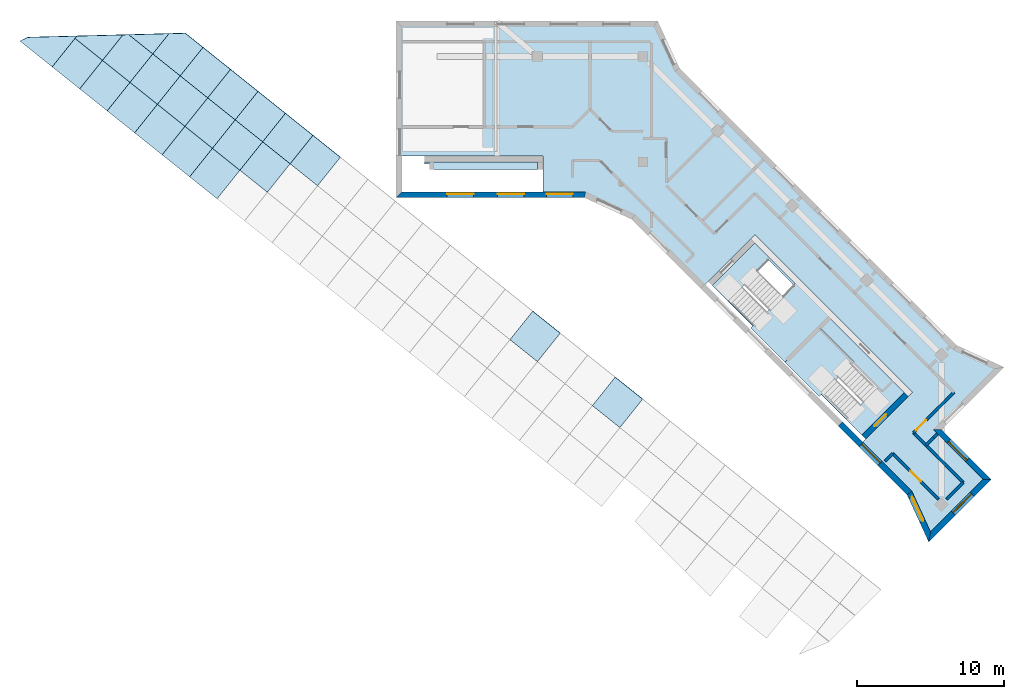
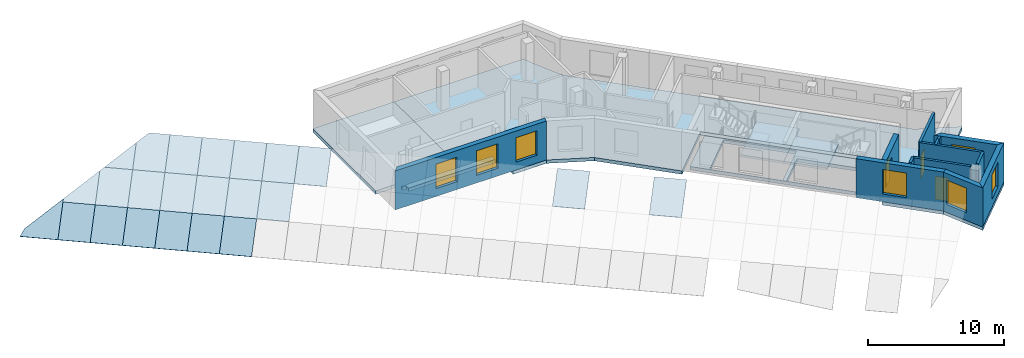
# One storey, part 2 of 6: 23 plates, 13 walls, 7 windows, 6 slabs, 3 doors, 12 openings, 2 elements without a shape of their own.
"""IFC4 building model written with IfcOpenShell, lengths in metres."""

from ifc_helpers import new_model, si_unit, direction, frame, frame_2d, origin, place, context, subcontext, project, spatial, polyline, rectangle, outline, extrude, material, layer, layer_set, type_object, element, fill, aggregate, save


model = new_model("IFC4")

# Units and contexts
model_context = context("Model", 3, precision=1e-05, world=origin(), true_north=direction((0.0, 1.0)))
body_context = subcontext(model_context, "Body", "Model", "MODEL_VIEW")
ifc_project = project(units=[si_unit("LENGTHUNIT", "METRE"), si_unit("AREAUNIT", "SQUARE_METRE"), si_unit("VOLUMEUNIT", "CUBIC_METRE"), si_unit("PLANEANGLEUNIT", "RADIAN"), si_unit("MASSUNIT", "GRAM", prefix="KILO")], contexts=[model_context])

# Site, building, storey
site_placement = place(None, origin())
site = spatial("IfcSite", under=ifc_project, at=site_placement, CompositionType="ELEMENT")
building_placement = place(site_placement, origin())
building = spatial("IfcBuilding", under=site, at=building_placement, Name="Windrow Commons", CompositionType="ELEMENT")
storey_placement = place(building_placement, frame((0.0, 0.0, 305.8)))
storey = spatial("IfcBuildingStorey", under=building, at=storey_placement, Name="L83", CompositionType="ELEMENT", Elevation=305.8)

# Slab
ifc_material_1 = material(Name="Concrete C40/50", Category="concrete")
ifc_layer_1 = layer(ifc_material_1, 0.3)
ifc_layer_set_1 = layer_set([ifc_layer_1], Name="CORE FLOOR SLAB 300 C40/50")
slab_type_1 = type_object("IfcSlabType", Name="CORE FLOOR SLAB 300 C40/50", PredefinedType="FLOOR", material=ifc_layer_set_1)
placement_1 = place(storey_placement, frame((0.0, 0.0, -0.3)))
element("IfcSlab", 1, at=placement_1, inside=storey, type_object=slab_type_1, Name="S-L83-core-A", PredefinedType="FLOOR", context=body_context, shape_type="SweptSolid", body=[
    extrude(outline(polyline([(72.0, 64.8), (72.0, 64.3), (69.1029, 64.3), (64.65, 64.3), (64.65, 64.65), (64.3, 64.65), (64.3, 64.8), (72.0, 64.8)])), origin(), (0.0, 0.0, 1.0), 0.3),
])

# Slab, openings
slab_2 = element("IfcSlab", 2, at=placement_1, inside=storey, type_object=slab_type_1, Name="S-L83-core-B", PredefinedType="FLOOR", context=body_context, shape_type="SweptSolid", body=[
    extrude(outline(polyline([(86.8368, 59.2721), (97.0191, 49.0897), (94.12, 46.1906), (83.9376, 56.3729), (86.8368, 59.2721)]), holes=[polyline([(88.9581, 51.4232), (91.7158, 54.1809), (87.7913, 58.1054), (85.0336, 55.3476), (88.9581, 51.4232)]), polyline([(93.0946, 47.2866), (95.1841, 49.3761), (91.2597, 53.3006), (89.1702, 51.2111), (93.0946, 47.2866)])]), origin(), (0.0, 0.0, 1.0), 0.3),
])
opening_1_placement = place(placement_1, origin())
element("IfcOpeningElement", 3, at=opening_1_placement, cuts=slab_2, Name="Slab opening S-L83-core-B 1", PredefinedType="OPENING", context=body_context, shape_type="SweptSolid", body=[
    extrude(outline(polyline([(88.9581, 51.4303), (85.0407, 55.3476), (87.7913, 58.0983), (91.7087, 54.1809), (88.9581, 51.4303)])), origin(), (0.0, 0.0, 1.0), 0.3),
])
opening_2_placement = place(placement_1, origin())
element("IfcOpeningElement", 4, at=opening_2_placement, cuts=slab_2, Name="Slab opening S-L83-core-B 2", PredefinedType="OPENING", context=body_context, shape_type="SweptSolid", body=[
    extrude(outline(polyline([(93.0946, 47.2937), (89.1773, 51.2111), (91.2597, 53.2935), (95.177, 49.3761), (93.0946, 47.2937)])), origin(), (0.0, 0.0, 1.0), 0.3),
])

# Stair, slab
ifc_material_2 = material(Name="Concrete C40/50", Category="concrete")
stair_type = type_object("IfcStairType", Name="Core stair", PredefinedType="HALF_TURN_STAIR", material=ifc_material_2)
placement_2 = place(storey_placement, origin())
stair_1 = element("IfcStair", 5, at=placement_2, inside=storey, type_object=stair_type, Name="L83 Exit stair B1 core B", PredefinedType="HALF_TURN_STAIR")
ifc_material_3 = material(Name="Concrete C40/50", Category="concrete")
ifc_layer_2 = layer(ifc_material_3, 0.2)
ifc_layer_set_2 = layer_set([ifc_layer_2], Name="Core stair landing")
slab_type_2 = type_object("IfcSlabType", Name="Core stair landing", PredefinedType="LANDING", material=ifc_layer_set_2)
placement_3 = place(storey_placement, frame((0.0, 0.0, 1.7)))
slab_3 = element("IfcSlab", 6, at=placement_3, type_object=slab_type_2, Name="ST-B1 landing 1", PredefinedType="LANDING", context=body_context, shape_type="SweptSolid", body=[
    extrude(outline(polyline([(86.5539, 53.4738), (88.8874, 51.1403), (91.9986, 54.2516), (89.6652, 56.5851), (86.5539, 53.4738)])), origin(), (0.0, 0.0, 1.0), 0.2),
])
aggregate(stair_1, [slab_3])

stair_2 = element("IfcStair", 7, at=placement_2, inside=storey, type_object=stair_type, Name="L83 Exit stair B2 core B", PredefinedType="HALF_TURN_STAIR")
slab_4 = element("IfcSlab", 8, at=placement_3, type_object=slab_type_2, Name="ST-B2 landing 1", PredefinedType="LANDING", context=body_context, shape_type="SweptSolid", body=[
    extrude(outline(polyline([(88.8874, 51.1403), (91.2208, 48.8069), (93.5931, 51.1792), (91.2597, 53.5127), (88.8874, 51.1403)])), origin(), (0.0, 0.0, 1.0), 0.2),
])
aggregate(stair_2, [slab_4])

# Plates
ifc_material_4 = material(Name="Laminated glass in aluminium frame", Category="aluminium")
ifc_layer_3 = layer(ifc_material_4, 0.04)
ifc_layer_set_3 = layer_set([ifc_layer_3], Name="Crown glazing panel 2400x3000")
plate_type = type_object("IfcPlateType", Name="Crown glazing panel 2400x3000", PredefinedType="SHEET", material=ifc_layer_set_3)
plate_1_placement = place(storey_placement, frame((50.1614, 62.2933, 0.1409), z_axis=(-0.349302282, -0.4366511518, 0.8290498703), x_axis=(-0.7808850696, 0.6246747219, 0.0)))
element("IfcPlate", 9, at=plate_1_placement, inside=storey, type_object=plate_type, Name="Crown glazing 119", PredefinedType="SHEET", context=body_context, shape_type="SweptSolid", body=[
    extrude(outline(polyline([(0.0, 0.0), (2.4, 0.0), (2.3999, -3.0), (-0.0001, -3.0), (0.0, 0.0)])), origin(), (0.0, 0.0, -1.0), 0.04),
])
plate_2_placement = place(storey_placement, frame((48.2873, 63.7925, 0.1409), z_axis=(-0.3493251869, -0.4366390092, 0.8290466148), x_axis=(-0.7808510258, 0.6247172765, 6.0336e-06)))
element("IfcPlate", 10, at=plate_2_placement, inside=storey, type_object=plate_type, Name="Crown glazing 120", PredefinedType="SHEET", context=body_context, shape_type="SweptSolid", body=[
    extrude(outline(polyline([(0.0, 0.0), (2.4, 0.0), (2.4001, -2.9999), (0.0001, -3.0), (0.0, 0.0)])), origin(), (0.0, 0.0, -1.0), 0.04),
])
plate_3_placement = place(storey_placement, frame((46.4133, 65.2918, 0.1409), z_axis=(-0.3493251869, -0.4366390092, 0.8290466148), x_axis=(-0.7808622022, 0.6247033064, -6.0334e-06)))
element("IfcPlate", 11, at=plate_3_placement, inside=storey, type_object=plate_type, Name="Crown glazing 121", PredefinedType="SHEET", context=body_context, shape_type="SweptSolid", body=[
    extrude(outline(polyline([(0.0, 0.0), (2.4, 0.0), (2.4, -3.0), (0.0001, -2.9999), (0.0, 0.0)])), origin(), (0.0, 0.0, -1.0), 0.04),
])
plate_4_placement = place(storey_placement, frame((44.5392, 66.7911, 0.1409), z_axis=(-0.349302282, -0.4366511518, 0.8290498703), x_axis=(-0.7808850696, 0.6246747219, 0.0)))
element("IfcPlate", 12, at=plate_4_placement, inside=storey, type_object=plate_type, Name="Crown glazing 122", PredefinedType="SHEET", context=body_context, shape_type="SweptSolid", body=[
    extrude(outline(polyline([(0.0, 0.0), (2.4, 0.0), (2.3999, -3.0), (-0.0001, -3.0), (0.0, 0.0)])), origin(), (0.0, 0.0, -1.0), 0.04),
])
for number, where, z_axis, x_axis, name in (
    (13, (42.6651, 68.2903, 0.1409), (-0.3493164888, -0.4366397863, 0.8290498704), (-0.7808647444, 0.6247001288, 0.0), "Crown glazing 123"),
    (14, (40.791, 69.7896, 0.1409), (-0.3493164888, -0.4366397863, 0.8290498704), (-0.7808647444, 0.6247001288, 0.0), "Crown glazing 124"),
    (15, (53.5892, 62.7361, 1.8184), (-0.349330801, -0.4366576763, 0.8290344174), (-0.7808647444, 0.6247001288, 0.0), "Crown glazing 146"),
):
    element("IfcPlate", number, at=place(storey_placement, frame(where, z_axis=z_axis, x_axis=x_axis)), inside=storey, type_object=plate_type, Name=name, PredefinedType="SHEET", context=body_context, shape_type="SweptSolid", body=[
        extrude(outline(polyline([(0.0, 0.0), (2.4, 0.0), (2.4, -3.0), (0.0, -3.0), (0.0, 0.0)])), origin(), (0.0, 0.0, -1.0), 0.04),
    ])
plate_5_placement = place(storey_placement, frame((51.7151, 64.2354, 1.8184), z_axis=(-0.3493165936, -0.4366690422, 0.8290344173), x_axis=(-0.7808850696, 0.6246747219, 0.0)))
element("IfcPlate", 16, at=plate_5_placement, inside=storey, type_object=plate_type, Name="Crown glazing 147", PredefinedType="SHEET", context=body_context, shape_type="SweptSolid", body=[
    extrude(outline(polyline([(0.0, 0.0), (2.4, 0.0), (2.3999, -3.0), (-0.0001, -3.0), (0.0, 0.0)])), origin(), (0.0, 0.0, -1.0), 0.04),
])
plate_6_placement = place(storey_placement, frame((49.841, 65.7346, 1.8184), z_axis=(-0.349330801, -0.4366576763, 0.8290344174), x_axis=(-0.7808647444, 0.6247001288, 0.0)))
element("IfcPlate", 17, at=plate_6_placement, inside=storey, type_object=plate_type, Name="Crown glazing 148", PredefinedType="SHEET", context=body_context, shape_type="SweptSolid", body=[
    extrude(outline(polyline([(0.0, 0.0), (2.4, 0.0), (2.4, -3.0), (0.0, -3.0), (0.0, 0.0)])), origin(), (0.0, 0.0, -1.0), 0.04),
])
plate_7_placement = place(storey_placement, frame((47.9669, 67.2339, 1.8184), z_axis=(-0.349342167, -0.4366485833, 0.8290344173), x_axis=(-0.7808484834, 0.6247204542, 0.0)))
element("IfcPlate", 18, at=plate_7_placement, inside=storey, type_object=plate_type, Name="Crown glazing 149", PredefinedType="SHEET", context=body_context, shape_type="SweptSolid", body=[
    extrude(outline(polyline([(0.0, 0.0), (2.4, 0.0), (2.4, -3.0), (0.0001, -3.0), (0.0, 0.0)])), origin(), (0.0, 0.0, -1.0), 0.04),
])
plate_8_placement = place(storey_placement, frame((46.0929, 68.7332, 1.8184), z_axis=(-0.3493199284, -0.4366586479, 0.829038487), x_axis=(-0.7808818918, 0.6246786943, -7.5419e-06)))
element("IfcPlate", 19, at=plate_8_placement, inside=storey, type_object=plate_type, Name="Crown glazing 150", PredefinedType="SHEET", context=body_context, shape_type="SweptSolid", body=[
    extrude(outline(polyline([(0.0, 0.0), (2.4, 0.0), (2.4, -3.0001), (-0.0001, -3.0), (0.0, 0.0)])), origin(), (0.0, 0.0, -1.0), 0.04),
])
plate_9_placement = place(storey_placement, frame((44.1341, 73.4853, 3.496), z_axis=(-0.3493128344, -0.4366612083, 0.8290401274), x_axis=(0.7808764057, -0.6246855521, -6.9929e-06)))
element("IfcPlate", 20, at=plate_9_placement, inside=storey, type_object=plate_type, Name="Crown glazing 151", PredefinedType="SHEET", context=body_context, shape_type="SweptSolid", body=[
    extrude(outline(polyline([(0.0, 0.0), (2.0982, 0.0), (2.0982, -3.0001), (-0.3018, -3.0), (-0.3019, -0.3073), (0.0, 0.0)])), origin(), (0.0, 0.0, -1.0), 0.04),
])
plate_10_placement = place(storey_placement, frame((43.7392, 73.4749, 3.3242), z_axis=(-0.3493290956, -0.4366993503, 0.8290131847), x_axis=(-0.5178668445, -0.6473614074, -0.5592290582)))
element("IfcPlate", 21, at=plate_10_placement, inside=storey, type_object=plate_type, Name="Crown glazing 152", PredefinedType="SHEET", context=body_context, shape_type="SweptSolid", body=[
    extrude(outline(polyline([(0.0, 0.0), (2.6927, 0.0), (2.6927, -2.4), (2.4433, -2.4), (0.0, 0.0)])), origin(), (0.0, 0.0, -1.0), 0.04),
])
plate_11_placement = place(storey_placement, frame((77.6319, 46.687, 3.496), z_axis=(-0.349330801, -0.4366576763, 0.8290344174), x_axis=(-0.7808647444, 0.6247001288, 0.0)))
element("IfcPlate", 22, at=plate_11_placement, inside=storey, type_object=plate_type, Name="Crown glazing 162", PredefinedType="SHEET", context=body_context, shape_type="SweptSolid", body=[
    extrude(outline(polyline([(0.0, 0.0), (2.4, 0.0), (2.4, -3.0), (0.0, -3.0), (0.0, 0.0)])), origin(), (0.0, 0.0, -1.0), 0.04),
])
plate_12_placement = place(storey_placement, frame((72.0097, 51.1848, 3.496), z_axis=(-0.3493394993, -0.436656899, 0.8290311615), x_axis=(-0.780862202, 0.6247033067, -6.0335e-06)))
element("IfcPlate", 23, at=plate_12_placement, inside=storey, type_object=plate_type, Name="Crown glazing 165", PredefinedType="SHEET", context=body_context, shape_type="SweptSolid", body=[
    extrude(outline(polyline([(0.0, 0.0), (2.4, 0.0), (2.4, -3.0), (0.0001, -3.0), (0.0, 0.0)])), origin(), (0.0, 0.0, -1.0), 0.04),
])
plate_13_placement = place(storey_placement, frame((57.017, 63.1789, 3.496), z_axis=(-0.3493199284, -0.4366586479, 0.829038487), x_axis=(-0.7808679222, 0.6246961565, 7.5417e-06)))
element("IfcPlate", 24, at=plate_13_placement, inside=storey, type_object=plate_type, Name="Crown glazing 173", PredefinedType="SHEET", context=body_context, shape_type="SweptSolid", body=[
    extrude(outline(polyline([(0.0, 0.0), (2.4, 0.0), (2.4, -3.0), (0.0001, -3.0001), (0.0, 0.0)])), origin(), (0.0, 0.0, -1.0), 0.04),
])
plate_14_placement = place(storey_placement, frame((55.1429, 64.6782, 3.496), z_axis=(-0.349330801, -0.4366576763, 0.8290344174), x_axis=(-0.7808647444, 0.6247001288, 0.0)))
element("IfcPlate", 25, at=plate_14_placement, inside=storey, type_object=plate_type, Name="Crown glazing 174", PredefinedType="SHEET", context=body_context, shape_type="SweptSolid", body=[
    extrude(outline(polyline([(0.0, 0.0), (2.4, 0.0), (2.4, -3.0), (0.0, -3.0), (0.0, 0.0)])), origin(), (0.0, 0.0, -1.0), 0.04),
])
plate_15_placement = place(storey_placement, frame((53.2688, 66.1775, 3.496), z_axis=(-0.3493199284, -0.4366586479, 0.829038487), x_axis=(-0.7808818918, 0.6246786943, -7.5419e-06)))
element("IfcPlate", 26, at=plate_15_placement, inside=storey, type_object=plate_type, Name="Crown glazing 175", PredefinedType="SHEET", context=body_context, shape_type="SweptSolid", body=[
    extrude(outline(polyline([(0.0, 0.0), (2.4, 0.0), (2.4, -3.0001), (-0.0001, -3.0), (0.0, 0.0)])), origin(), (0.0, 0.0, -1.0), 0.04),
])
plate_16_placement = place(storey_placement, frame((51.3947, 67.6767, 3.496), z_axis=(-0.3493199284, -0.4366586479, 0.829038487), x_axis=(-0.7808679222, 0.6246961565, 7.5417e-06)))
element("IfcPlate", 27, at=plate_16_placement, inside=storey, type_object=plate_type, Name="Crown glazing 176", PredefinedType="SHEET", context=body_context, shape_type="SweptSolid", body=[
    extrude(outline(polyline([(0.0, 0.0), (2.4, 0.0), (2.4, -3.0), (0.0001, -3.0001), (0.0, 0.0)])), origin(), (0.0, 0.0, -1.0), 0.04),
])
plate_17_placement = place(storey_placement, frame((49.5206, 69.176, 3.496), z_axis=(-0.3493394993, -0.436656899, 0.8290311615), x_axis=(-0.780851026, 0.6247172762, 6.0337e-06)))
element("IfcPlate", 28, at=plate_17_placement, inside=storey, type_object=plate_type, Name="Crown glazing 177", PredefinedType="SHEET", context=body_context, shape_type="SweptSolid", body=[
    extrude(outline(polyline([(0.0, 0.0), (2.4, 0.0), (2.4001, -3.0), (0.0001, -3.0), (0.0, 0.0)])), origin(), (0.0, 0.0, -1.0), 0.04),
])
plate_18_placement = place(storey_placement, frame((47.9888, 73.5866, 5.1736), z_axis=(-0.3493332782, -0.4366637024, 0.8290301995), x_axis=(0.7808508888, -0.6247174474, -1.7168e-05)))
element("IfcPlate", 29, at=plate_18_placement, inside=storey, type_object=plate_type, Name="Crown glazing 178", PredefinedType="SHEET", context=body_context, shape_type="SweptSolid", body=[
    extrude(outline(polyline([(0.0, 0.0), (1.5514, 0.0), (1.5516, -3.0), (-0.8485, -3.0), (-0.8486, -0.864), (0.0, 0.0)])), origin(), (0.0, 0.0, -1.0), 0.04),
])
plate_19_placement = place(storey_placement, frame((46.8787, 73.5574, 4.6905), z_axis=(-0.3493348061, -0.4366751708, 0.829023515), x_axis=(-0.5178754656, -0.6473677399, -0.559213744)))
element("IfcPlate", 30, at=plate_19_placement, inside=storey, type_object=plate_type, Name="Crown glazing 179", PredefinedType="SHEET", context=body_context, shape_type="SweptSolid", body=[
    extrude(outline(polyline([(0.0, 0.0), (2.136, 0.0), (2.136, -2.0982), (0.0, 0.0)])), origin(), (0.0, 0.0, -1.0), 0.04),
])
plate_20_placement = place(storey_placement, frame((36.7184, 73.0477, 0.1409), z_axis=(-0.349337673, -0.4366193131, 0.8290517268), x_axis=(0.7690002098, 0.371929993, 0.5199103361)))
element("IfcPlate", 31, at=plate_20_placement, inside=storey, type_object=plate_type, Name="Crown glazing 350", PredefinedType="SHEET", context=body_context, shape_type="SweptSolid", body=[
    extrude(outline(polyline([(0.0, 0.0), (0.6901, 0.0), (4.0576, -1.4215), (1.0365, -2.6177), (0.0, 0.0)])), origin(), (0.0, 0.0, -1.0), 0.04),
])

# Slabs
ifc_material_5 = material(Name="Concrete C40/50", Category="concrete")
ifc_layer_4 = layer(ifc_material_5, 0.3)
ifc_layer_set_4 = layer_set([ifc_layer_4], Name="FLOOR SLAB 300 C40/50")
slab_type_3 = type_object("IfcSlabType", Name="FLOOR SLAB 300 C40/50", PredefinedType="FLOOR", material=ifc_layer_set_4)
element("IfcSlab", 32, at=placement_1, inside=storey, type_object=slab_type_3, Name="S-L83-floor", PredefinedType="FLOOR", context=body_context, shape_type="SweptSolid", body=[
    extrude(outline(polyline([(97.2166, 42.104), (98.695, 38.8862), (102.9588, 43.15), (99.5647, 46.5442), (103.8285, 50.808), (100.5963, 52.3008), (95.8713, 57.0258), (91.1463, 61.7508), (86.4213, 66.4758), (81.6963, 71.2008), (80.2036, 74.433), (69.267, 74.433), (69.267, 65.2), (72.4, 65.2), (72.4, 62.367), (75.2141, 62.367), (78.4319, 60.8887), (83.1281, 56.1925), (83.1598, 56.1608), (86.8368, 59.8378), (97.5848, 49.0897), (93.9078, 45.4128), (97.2166, 42.104)])), origin(), (0.0, 0.0, 1.0), 0.3),
])
ifc_material_6 = material(Name="Concrete C40/50", Category="concrete")
ifc_layer_5 = layer(ifc_material_6, 0.3)
ifc_layer_set_5 = layer_set([ifc_layer_5], Name="TERRACE SLAB 300 C40/50")
slab_type_4 = type_object("IfcSlabType", Name="TERRACE SLAB 300 C40/50", PredefinedType="FLOOR", material=ifc_layer_set_5)
element("IfcSlab", 33, at=placement_1, inside=storey, type_object=slab_type_4, Name="Terrace slab TR-L83-1", PredefinedType="FLOOR", context=body_context, shape_type="SweptSolid", body=[
    extrude(outline(polyline([(62.367, 74.433), (62.367, 65.2), (69.267, 65.2), (69.267, 74.433), (62.367, 74.433)])), origin(), (0.0, 0.0, 1.0), 0.3),
])

# Wall
ifc_material_7 = material(Name="Blockwork partition", Category="masonry")
ifc_layer_6 = layer(ifc_material_7, 0.2)
ifc_layer_set_6 = layer_set([ifc_layer_6], Name="IW-CORRIDOR-200")
wall_type_1 = type_object("IfcWallType", Name="IW-CORRIDOR-200", PredefinedType="PARTITIONING", material=ifc_layer_set_6)
wall_1_placement = place(storey_placement, frame((97.6525, 46.3285, 0.0), z_axis=(0.0, 0.0, 1.0), x_axis=(0.7071067812, -0.7071067812, 0.0)))
element("IfcWall", 34, at=wall_1_placement, inside=storey, type_object=wall_type_1, Name="W-L83-W006", PredefinedType="PARTITIONING", context=body_context, shape_type="SweptSolid", body=[
    extrude(rectangle(XDim=4.7998, YDim=0.2, at=frame_2d((2.3999, 0.0))), origin(), (0.0, 0.0, 1.0), 3.5),
])

# Wall, opening, door
wall_2_placement = place(storey_placement, frame((96.2454, 44.9214, 0.0), z_axis=(0.0, 0.0, 1.0), x_axis=(0.7071067812, -0.7071067812, 0.0)))
wall_2 = element("IfcWall", 35, at=wall_2_placement, inside=storey, type_object=wall_type_1, Name="W-L83-W010", PredefinedType="PARTITIONING", context=body_context, shape_type="SweptSolid", body=[
    extrude(rectangle(XDim=4.4039, YDim=0.2, at=frame_2d((2.202, 0.0))), origin(), (0.0, 0.0, 1.0), 3.5),
])
opening_3_placement = place(wall_2_placement, frame((1.7023, 0.0, 0.0)))
opening_3 = element("IfcOpeningElement", 36, at=opening_3_placement, cuts=wall_2, Name="Opening D410F", PredefinedType="OPENING", context=body_context, shape_type="SweptSolid", body=[
    extrude(rectangle(XDim=1.0, YDim=2.1, at=frame_2d((0.5, 1.05))), frame((0.0, 0.11, 0.0), z_axis=(0.0, -1.0, 0.0), x_axis=(1.0, 0.0, 0.0)), (0.0, 0.0, 1.0), 0.22),
])
ifc_material_8 = material(Name="Timber door leaf", Category="wood")
door_type_1 = type_object("IfcDoorType", Name="DT-SERVICE-1000", OperationType="SINGLE_SWING_LEFT", PredefinedType="DOOR", material=ifc_material_8)
door_1_placement = place(opening_3_placement, origin())
door_1 = element("IfcDoor", 37, at=door_1_placement, inside=storey, type_object=door_type_1, Name="D-L83-D010", OperationType="SINGLE_SWING_RIGHT", OverallHeight=2.1, OverallWidth=1.0, PredefinedType="DOOR", context=body_context, shape_type="SweptSolid", body=[
    extrude(rectangle(XDim=1.0, YDim=2.1, at=frame_2d((0.5, 1.05))), frame((0.0, 0.025, 0.0), z_axis=(0.0, -1.0, 0.0), x_axis=(1.0, 0.0, 0.0)), (0.0, 0.0, 1.0), 0.05),
])
fill(opening_3, door_1)

wall_3_placement = place(storey_placement, frame((97.6549, 46.3331, 0.0), z_axis=(0.0, 0.0, 1.0), x_axis=(0.7071067812, 0.7071067812, 0.0)))
wall_3 = element("IfcWall", 38, at=wall_3_placement, inside=storey, type_object=wall_type_1, Name="W-L83-W012", PredefinedType="PARTITIONING", context=body_context, shape_type="SweptSolid", body=[
    extrude(rectangle(XDim=3.9004, YDim=0.2, at=frame_2d((1.9502, 0.0))), origin(), (0.0, 0.0, 1.0), 3.5),
])
opening_4_placement = place(wall_3_placement, frame((0.2209, 0.0, 0.0)))
opening_4 = element("IfcOpeningElement", 39, at=opening_4_placement, cuts=wall_3, Name="Opening D410F", PredefinedType="OPENING", context=body_context, shape_type="SweptSolid", body=[
    extrude(rectangle(XDim=1.0, YDim=2.1, at=frame_2d((0.5, 1.05))), frame((0.0, 0.11, 0.0), z_axis=(0.0, -1.0, 0.0), x_axis=(1.0, 0.0, 0.0)), (0.0, 0.0, 1.0), 0.22),
])
door_2_placement = place(opening_4_placement, origin())
door_2 = element("IfcDoor", 40, at=door_2_placement, inside=storey, type_object=door_type_1, Name="D-L83-D007", OperationType="SINGLE_SWING_LEFT", OverallHeight=2.1, OverallWidth=1.0, PredefinedType="DOOR", context=body_context, shape_type="SweptSolid", body=[
    extrude(rectangle(XDim=1.0, YDim=2.1, at=frame_2d((0.5, 1.05))), frame((0.0, 0.025, 0.0), z_axis=(0.0, -1.0, 0.0), x_axis=(1.0, 0.0, 0.0)), (0.0, 0.0, 1.0), 0.05),
])
fill(opening_4, door_2)

# Walls
wall_4_placement = place(storey_placement, frame((99.914, 41.804, 0.0), z_axis=(0.0, 0.0, 1.0), x_axis=(0.7071067812, 0.7071067812, 0.0)))
element("IfcWall", 41, at=wall_4_placement, inside=storey, type_object=wall_type_1, Name="W-L83-W025", PredefinedType="PARTITIONING", context=body_context, shape_type="SweptSolid", body=[
    extrude(rectangle(XDim=1.6037, YDim=0.2, at=frame_2d((0.8018, 0.0))), origin(), (0.0, 0.0, 1.0), 3.5),
])
wall_5_placement = place(storey_placement, frame((95.7101, 44.3883, 0.0), z_axis=(0.0, 0.0, 1.0), x_axis=(0.7071067812, 0.7071067812, 0.0)))
element("IfcWall", 42, at=wall_5_placement, inside=storey, type_object=wall_type_1, Name="W-L83-W027", PredefinedType="PARTITIONING", context=body_context, shape_type="SweptSolid", body=[
    extrude(rectangle(XDim=0.7507, YDim=0.2, at=frame_2d((0.3754, 0.0))), origin(), (0.0, 0.0, 1.0), 3.5),
])
ifc_material_9 = material(Name="Blockwork partition", Category="masonry")
ifc_layer_7 = layer(ifc_material_9, 0.2)
ifc_layer_set_7 = layer_set([ifc_layer_7], Name="IW-PARTY-200")
wall_type_2 = type_object("IfcWallType", Name="IW-PARTY-200", PredefinedType="PARTITIONING", material=ifc_layer_set_7)
wall_6_placement = place(storey_placement, frame((98.5034, 45.4846, 0.0), z_axis=(0.0, 0.0, 1.0), x_axis=(0.7071067812, 0.7071067812, 0.0)))
element("IfcWall", 43, at=wall_6_placement, inside=storey, type_object=wall_type_2, Name="W-L83-W030", PredefinedType="PARTITIONING", context=body_context, shape_type="SweptSolid", body=[
    extrude(rectangle(XDim=0.7241, YDim=0.2, at=frame_2d((0.362, 0.0))), origin(), (0.0, 0.0, 1.0), 3.5),
])
wall_7_placement = place(storey_placement, frame((99.0186, 45.9934, 0.0), z_axis=(0.0, 0.0, 1.0), x_axis=(0.7087023526, 0.7055076012, 0.0)))
element("IfcWall", 44, at=wall_7_placement, inside=storey, type_object=wall_type_2, Name="W-L83-W034", PredefinedType="PARTITIONING", context=body_context, shape_type="SweptSolid", body=[
    extrude(outline(polyline([(0.0, -0.1), (0.3756, -0.1), (0.3756, 0.1), (0.0, 0.1), (0.0, -0.1)])), origin(), (0.0, 0.0, 1.0), 3.5),
])

# Wall, opening, door
ifc_material_10 = material(Name="Concrete C40/50", Category="concrete")
ifc_layer_8 = layer(ifc_material_10, 0.4)
ifc_layer_set_8 = layer_set([ifc_layer_8], Name="RC CORE WALL 400 C40/50")
wall_type_3 = type_object("IfcWallType", Name="RC CORE WALL 400 C40/50", PredefinedType="SHEAR", material=ifc_layer_set_8)
wall_8_placement = place(storey_placement, frame((94.2614, 46.0492, -0.3), z_axis=(0.0, 0.0, 1.0), x_axis=(0.7071067812, 0.7071067812, 0.0)))
wall_8 = element("IfcWall", 45, at=wall_8_placement, inside=storey, type_object=wall_type_3, Name="Core B wall outer-E", PredefinedType="SHEAR", context=body_context, shape_type="SweptSolid", body=[
    extrude(outline(polyline([(0.0, 0.0), (4.0999, 0.0), (4.1, 3.1), (0.0, 3.1), (0.0, 0.0)])), frame((0.0, 0.2, 0.0), z_axis=(0.0, -1.0, 0.0), x_axis=(1.0, 0.0, 0.0)), (0.0, 0.0, 1.0), 0.4),
])
opening_5_placement = place(wall_8_placement, frame((1.05, 0.0, 0.3)))
opening_5 = element("IfcOpeningElement", 46, at=opening_5_placement, cuts=wall_8, Name="Opening D7", PredefinedType="OPENING", context=body_context, shape_type="SweptSolid", body=[
    extrude(rectangle(XDim=1.1, YDim=2.1, at=frame_2d((0.55, 1.05))), frame((0.0, 0.21, 0.0), z_axis=(0.0, -1.0, 0.0), x_axis=(1.0, 0.0, 0.0)), (0.0, 0.0, 1.0), 0.42),
])
ifc_material_11 = material(Name="Steel fire door leaf", Category="steel")
door_type_2 = type_object("IfcDoorType", Name="Stair door 1100", OperationType="SINGLE_SWING_LEFT", PredefinedType="DOOR", material=ifc_material_11)
door_3_placement = place(opening_5_placement, origin())
door_3 = element("IfcDoor", 47, at=door_3_placement, inside=storey, type_object=door_type_2, Name="Stair door", OperationType="SINGLE_SWING_RIGHT", OverallHeight=2.1, OverallWidth=1.1, PredefinedType="DOOR", context=body_context, shape_type="SweptSolid", body=[
    extrude(rectangle(XDim=1.1, YDim=2.1, at=frame_2d((0.55, 1.05))), frame((0.0, 0.025, 0.0), z_axis=(0.0, -1.0, 0.0), x_axis=(1.0, 0.0, 0.0)), (0.0, 0.0, 1.0), 0.05),
])
fill(opening_5, door_3)

# Wall, opening, window
ifc_material_12 = material(Name="Standing seam zinc cladding on insulated masonry backing", Category="masonry")
ifc_layer_9 = layer(ifc_material_12, 0.4)
ifc_layer_set_9 = layer_set([ifc_layer_9], Name="Zinc clad crown wall 400")
wall_type_4 = type_object("IfcWallType", Name="Zinc clad crown wall 400", PredefinedType="SOLIDWALL", material=ifc_layer_set_9)
wall_9_placement = place(storey_placement, frame((102.676, 43.15, 0.0), z_axis=(0.0, 0.0, 1.0), x_axis=(-0.7070963646, 0.7071171977, 0.0)))
wall_9 = element("IfcWall", 48, at=wall_9_placement, inside=storey, type_object=wall_type_4, Name="Brick facade wall L83 1", PredefinedType="SOLIDWALL", context=body_context, shape_type="SweptSolid", body=[
    extrude(outline(polyline([(-0.2, -0.2), (4.6001, -0.2), (5.0001, 0.2), (0.2, 0.2), (-0.2, -0.2)])), origin(), (0.0, 0.0, 1.0), 3.5),
])
opening_6_placement = place(wall_9_placement, frame((1.9, 0.0, 0.7)))
opening_6 = element("IfcOpeningElement", 49, at=opening_6_placement, cuts=wall_9, Name="Opening W6", PredefinedType="OPENING", context=body_context, shape_type="SweptSolid", body=[
    extrude(rectangle(XDim=1.8, YDim=2.2, at=frame_2d((0.9, 1.1))), frame((0.0, 0.21, 0.0), z_axis=(0.0, -1.0, 0.0), x_axis=(1.0, 0.0, 0.0)), (0.0, 0.0, 1.0), 0.42),
])
ifc_material_13 = material(Name="Clear float glass in anodised aluminium frame", Category="aluminium")
window_type = type_object("IfcWindowType", Name="Window W6 crown 1800x2200", PartitioningType="SINGLE_PANEL", PredefinedType="WINDOW", material=ifc_material_13)
window_1_placement = place(opening_6_placement, origin())
window_1 = element("IfcWindow", 50, at=window_1_placement, inside=storey, type_object=window_type, Name="Window L83 1.1", OverallHeight=2.2, OverallWidth=1.8, PartitioningType="SINGLE_PANEL", PredefinedType="WINDOW", context=body_context, shape_type="SweptSolid", body=[
    extrude(rectangle(XDim=1.8, YDim=2.2, at=frame_2d((0.9, 1.1))), frame((0.0, 0.08, 0.0), z_axis=(0.0, -1.0, 0.0), x_axis=(1.0, 0.0, 0.0)), (0.0, 0.0, 1.0), 0.06),
])
fill(opening_6, window_1)

# Wall, openings, windows
wall_10_placement = place(storey_placement, frame((62.567, 62.567, 0.0), z_axis=(0.0, 0.0, 1.0), x_axis=(1.0, 0.0, 0.0)))
wall_10 = element("IfcWall", 51, at=wall_10_placement, inside=storey, type_object=wall_type_4, Name="Brick facade wall L83 11", PredefinedType="SOLIDWALL", context=body_context, shape_type="SweptSolid", body=[
    extrude(outline(polyline([(-0.2, -0.2), (12.6471, -0.2), (12.7346, 0.2), (0.2, 0.2), (-0.2, -0.2)])), origin(), (0.0, 0.0, 1.0), 3.5),
])
opening_7_placement = place(wall_10_placement, frame((3.283, 0.0, 0.7)))
opening_7 = element("IfcOpeningElement", 52, at=opening_7_placement, cuts=wall_10, Name="Opening W6", PredefinedType="OPENING", context=body_context, shape_type="SweptSolid", body=[
    extrude(rectangle(XDim=1.8, YDim=2.2, at=frame_2d((0.9, 1.1))), frame((0.0, 0.21, 0.0), z_axis=(0.0, -1.0, 0.0), x_axis=(1.0, 0.0, 0.0)), (0.0, 0.0, 1.0), 0.42),
])
opening_8_placement = place(wall_10_placement, frame((6.733, 0.0, 0.7)))
opening_8 = element("IfcOpeningElement", 53, at=opening_8_placement, cuts=wall_10, Name="Opening W6", PredefinedType="OPENING", context=body_context, shape_type="SweptSolid", body=[
    extrude(rectangle(XDim=1.8, YDim=2.2, at=frame_2d((0.9, 1.1))), frame((0.0, 0.21, 0.0), z_axis=(0.0, -1.0, 0.0), x_axis=(1.0, 0.0, 0.0)), (0.0, 0.0, 1.0), 0.42),
])
opening_9_placement = place(wall_10_placement, frame((10.0619, 0.0, 0.7)))
opening_9 = element("IfcOpeningElement", 54, at=opening_9_placement, cuts=wall_10, Name="Opening W6", PredefinedType="OPENING", context=body_context, shape_type="SweptSolid", body=[
    extrude(rectangle(XDim=1.8, YDim=2.2, at=frame_2d((0.9, 1.1))), frame((0.0, 0.21, 0.0), z_axis=(0.0, -1.0, 0.0), x_axis=(1.0, 0.0, 0.0)), (0.0, 0.0, 1.0), 0.42),
])
window_2_placement = place(opening_7_placement, origin())
window_2 = element("IfcWindow", 55, at=window_2_placement, inside=storey, type_object=window_type, Name="Window L83 11.1", OverallHeight=2.2, OverallWidth=1.8, PartitioningType="SINGLE_PANEL", PredefinedType="WINDOW", context=body_context, shape_type="SweptSolid", body=[
    extrude(rectangle(XDim=1.8, YDim=2.2, at=frame_2d((0.9, 1.1))), frame((0.0, 0.08, 0.0), z_axis=(0.0, -1.0, 0.0), x_axis=(1.0, 0.0, 0.0)), (0.0, 0.0, 1.0), 0.06),
])
fill(opening_7, window_2)
window_3_placement = place(opening_8_placement, origin())
window_3 = element("IfcWindow", 56, at=window_3_placement, inside=storey, type_object=window_type, Name="Window L83 11.2", OverallHeight=2.2, OverallWidth=1.8, PartitioningType="SINGLE_PANEL", PredefinedType="WINDOW", context=body_context, shape_type="SweptSolid", body=[
    extrude(rectangle(XDim=1.8, YDim=2.2, at=frame_2d((0.9, 1.1))), frame((0.0, 0.08, 0.0), z_axis=(0.0, -1.0, 0.0), x_axis=(1.0, 0.0, 0.0)), (0.0, 0.0, 1.0), 0.06),
])
fill(opening_8, window_3)
window_4_placement = place(opening_9_placement, origin())
window_4 = element("IfcWindow", 57, at=window_4_placement, inside=storey, type_object=window_type, Name="Window L83 11.3", OverallHeight=2.2, OverallWidth=1.8, PartitioningType="SINGLE_PANEL", PredefinedType="WINDOW", context=body_context, shape_type="SweptSolid", body=[
    extrude(rectangle(XDim=1.8, YDim=2.2, at=frame_2d((0.9, 1.1))), frame((0.0, 0.08, 0.0), z_axis=(0.0, -1.0, 0.0), x_axis=(1.0, 0.0, 0.0)), (0.0, 0.0, 1.0), 0.06),
])
fill(opening_9, window_4)

# Wall, opening, window
wall_11_placement = place(storey_placement, frame((92.6619, 46.9416, 0.0), z_axis=(0.0, 0.0, 1.0), x_axis=(0.7071067812, -0.7071067812, 0.0)))
wall_11 = element("IfcWall", 58, at=wall_11_placement, inside=storey, type_object=wall_type_4, Name="Brick facade wall L83 16", PredefinedType="SOLIDWALL", context=body_context, shape_type="SweptSolid", body=[
    extrude(outline(polyline([(0.0, -0.2), (6.6414, -0.2), (6.7131, 0.2), (0.0, 0.2), (0.0, -0.2)])), origin(), (0.0, 0.0, 1.0), 3.5),
])
opening_10_placement = place(wall_11_placement, frame((2.012, 0.0, 0.7)))
opening_10 = element("IfcOpeningElement", 59, at=opening_10_placement, cuts=wall_11, Name="Opening W6", PredefinedType="OPENING", context=body_context, shape_type="SweptSolid", body=[
    extrude(rectangle(XDim=1.8, YDim=2.2, at=frame_2d((0.9, 1.1))), frame((0.0, 0.21, 0.0), z_axis=(0.0, -1.0, 0.0), x_axis=(1.0, 0.0, 0.0)), (0.0, 0.0, 1.0), 0.42),
])
window_5_placement = place(opening_10_placement, origin())
window_5 = element("IfcWindow", 60, at=window_5_placement, inside=storey, type_object=window_type, Name="Window L83 16.1", OverallHeight=2.2, OverallWidth=1.8, PartitioningType="SINGLE_PANEL", PredefinedType="WINDOW", context=body_context, shape_type="SweptSolid", body=[
    extrude(rectangle(XDim=1.8, YDim=2.2, at=frame_2d((0.9, 1.1))), frame((0.0, 0.08, 0.0), z_axis=(0.0, -1.0, 0.0), x_axis=(1.0, 0.0, 0.0)), (0.0, 0.0, 1.0), 0.06),
])
fill(opening_10, window_5)

wall_12_placement = place(storey_placement, frame((97.3834, 42.2201, 0.0), z_axis=(0.0, 0.0, 1.0), x_axis=(0.417459469, -0.908695544, 0.0)))
wall_12 = element("IfcWall", 61, at=wall_12_placement, inside=storey, type_object=wall_type_4, Name="Brick facade wall L83 17", PredefinedType="SOLIDWALL", context=body_context, shape_type="SweptSolid", body=[
    extrude(outline(polyline([(0.0359, -0.2), (3.577, -0.2), (3.0023, 0.2), (-0.0359, 0.2), (0.0359, -0.2)])), origin(), (0.0, 0.0, 1.0), 3.5),
])
opening_11_placement = place(wall_12_placement, frame((0.3116, 0.0, 0.7)))
opening_11 = element("IfcOpeningElement", 62, at=opening_11_placement, cuts=wall_12, Name="Opening W6", PredefinedType="OPENING", context=body_context, shape_type="SweptSolid", body=[
    extrude(rectangle(XDim=1.8, YDim=2.2, at=frame_2d((0.9, 1.1))), frame((0.0, 0.21, 0.0), z_axis=(0.0, -1.0, 0.0), x_axis=(1.0, 0.0, 0.0)), (0.0, 0.0, 1.0), 0.42),
])
window_6_placement = place(opening_11_placement, origin())
window_6 = element("IfcWindow", 63, at=window_6_placement, inside=storey, type_object=window_type, Name="Window L83 17.1", OverallHeight=2.2, OverallWidth=1.8, PartitioningType="SINGLE_PANEL", PredefinedType="WINDOW", context=body_context, shape_type="SweptSolid", body=[
    extrude(rectangle(XDim=1.8, YDim=2.2, at=frame_2d((0.9, 1.1))), frame((0.0, 0.08, 0.0), z_axis=(0.0, -1.0, 0.0), x_axis=(1.0, 0.0, 0.0)), (0.0, 0.0, 1.0), 0.06),
])
fill(opening_11, window_6)

wall_13_placement = place(storey_placement, frame((98.7567, 39.2308, 0.0), z_axis=(0.0, 0.0, 1.0), x_axis=(0.7071158021, 0.7070977602, 0.0)))
wall_13 = element("IfcWall", 64, at=wall_13_placement, inside=storey, type_object=wall_type_4, Name="Brick facade wall L83 18", PredefinedType="SOLIDWALL", context=body_context, shape_type="SweptSolid", body=[
    extrude(outline(polyline([(-0.2874, -0.2), (5.7426, -0.2), (5.3426, 0.2), (0.2874, 0.2), (-0.2874, -0.2)])), origin(), (0.0, 0.0, 1.0), 3.5),
])
opening_12_placement = place(wall_13_placement, frame((2.2926, 0.0, 0.7)))
opening_12 = element("IfcOpeningElement", 65, at=opening_12_placement, cuts=wall_13, Name="Opening W6", PredefinedType="OPENING", context=body_context, shape_type="SweptSolid", body=[
    extrude(rectangle(XDim=1.8, YDim=2.2, at=frame_2d((0.9, 1.1))), frame((0.0, 0.21, 0.0), z_axis=(0.0, -1.0, 0.0), x_axis=(1.0, 0.0, 0.0)), (0.0, 0.0, 1.0), 0.42),
])
window_7_placement = place(opening_12_placement, origin())
window_7 = element("IfcWindow", 66, at=window_7_placement, inside=storey, type_object=window_type, Name="Window L83 18.1", OverallHeight=2.2, OverallWidth=1.8, PartitioningType="SINGLE_PANEL", PredefinedType="WINDOW", context=body_context, shape_type="SweptSolid", body=[
    extrude(rectangle(XDim=1.8, YDim=2.2, at=frame_2d((0.9, 1.1))), frame((0.0, 0.08, 0.0), z_axis=(0.0, -1.0, 0.0), x_axis=(1.0, 0.0, 0.0)), (0.0, 0.0, 1.0), 0.06),
])
fill(opening_12, window_7)

save(model, "model.ifc")
